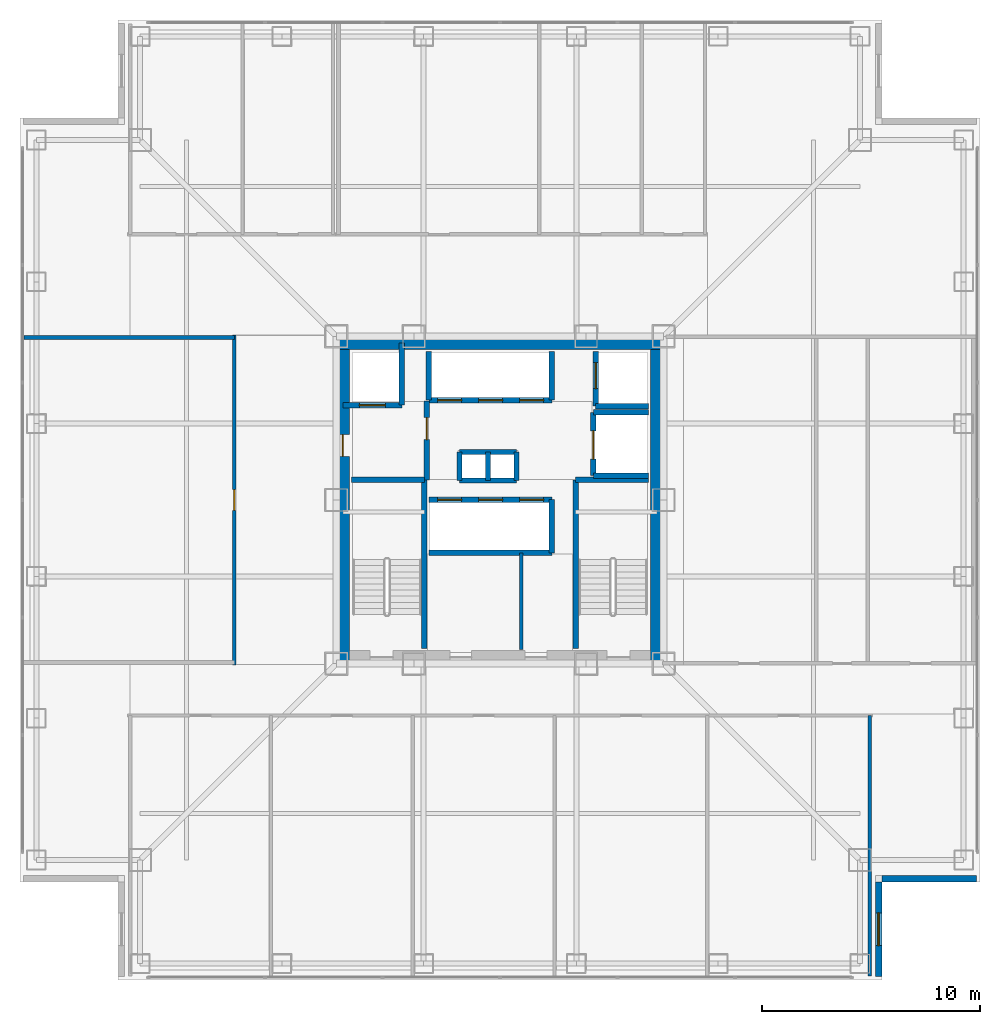
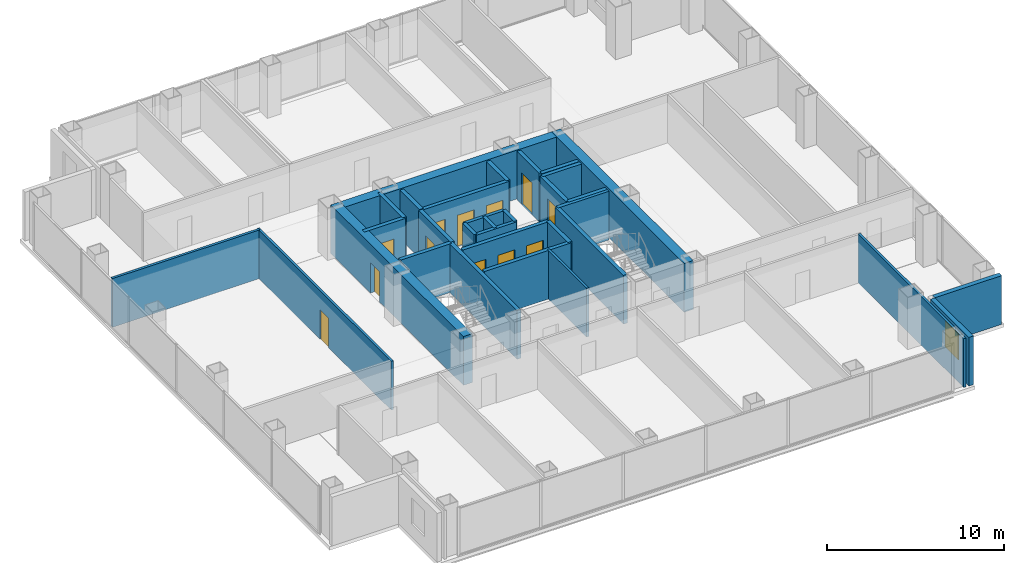
# One storey, part 13 of 17: 32 walls, 12 doors, 1 window, 13 openings.
"""IFC4 building model written with IfcOpenShell, lengths in metres."""

from ifc_helpers import new_model, si_unit, direction, frame, frame_2d, origin, place, context, subcontext, project, spatial, rectangle, extrude, material, layer, layer_set, type_object, element, fill, save


model = new_model("IFC4")

# Units and contexts
model_context = context("Model", 3, precision=1e-05, world=origin(), true_north=direction((0.0, 1.0)))
body_context = subcontext(model_context, "Body", "Model", "MODEL_VIEW")
ifc_project = project(units=[si_unit("LENGTHUNIT", "METRE"), si_unit("AREAUNIT", "SQUARE_METRE"), si_unit("VOLUMEUNIT", "CUBIC_METRE"), si_unit("PLANEANGLEUNIT", "RADIAN"), si_unit("MASSUNIT", "GRAM", prefix="KILO")], contexts=[model_context])

# Site, building, storey
site_placement = place(None, origin())
site = spatial("IfcSite", under=ifc_project, at=site_placement, CompositionType="ELEMENT")
building_placement = place(site_placement, origin())
building = spatial("IfcBuilding", under=site, at=building_placement, Name="Trevonay Congress Spire", CompositionType="ELEMENT")
storey_placement = place(building_placement, frame((0.0, 0.0, 108.39990234375)))
storey = spatial("IfcBuildingStorey", under=building, at=storey_placement, Name="L27", CompositionType="ELEMENT", Elevation=108.39990234375)

# Wall
ifc_material_1 = material(Name="Concrete C60/75", Category="concrete")
ifc_layer_1 = layer(ifc_material_1, 0.60009765625, Name="Concrete C60/75")
ifc_layer_set_1 = layer_set([ifc_layer_1], Name="Concrete C60/75")
wall_type_1 = type_object("IfcWallType", Name="WAL-CORE-600", PredefinedType="SHEAR", material=ifc_layer_set_1)
wall_1_placement = place(storey_placement, frame((-7.5, 7.199951171875, 0.0), z_axis=(0.0, 0.0, 1.0), x_axis=(1.0, 0.0, 0.0)))
element("IfcWall", 1, at=wall_1_placement, inside=storey, type_object=wall_type_1, Name="L27 North structural core shear wall", PredefinedType="SHEAR", context=body_context, shape_type="SweptSolid", body=[
    extrude(rectangle(XDim=15.0, YDim=0.60009765625, at=frame_2d((7.5, 0.0))), origin(), (0.0, 0.0, 1.0), 3.360107421875),
])

# Wall, opening, door
wall_2_placement = place(storey_placement, frame((-7.199951171875, -7.5, 0.0), z_axis=(0.0, 0.0, 1.0), x_axis=(0.0, 1.0, 0.0)))
wall_2 = element("IfcWall", 2, at=wall_2_placement, inside=storey, type_object=wall_type_1, Name="L27 West structural core shear wall", PredefinedType="SHEAR", context=body_context, shape_type="SweptSolid", body=[
    extrude(rectangle(XDim=15.0, YDim=0.60009765625, at=frame_2d((7.5, 0.0))), origin(), (0.0, 0.0, 1.0), 3.360107421875),
])
opening_1_placement = place(wall_2_placement, frame((9.5, 0.0, 0.0)))
opening_1 = element("IfcOpeningElement", 3, at=opening_1_placement, cuts=wall_2, Name="Opening D06", PredefinedType="OPENING", context=body_context, shape_type="SweptSolid", body=[
    extrude(rectangle(XDim=1.0, YDim=2.080078125, at=frame_2d((0.5, 1.0400390625))), frame((0.0, 0.31005859375, 0.0), z_axis=(0.0, -1.0, 0.0), x_axis=(1.0, 0.0, 0.0)), (0.0, 0.0, 1.0), 0.6201171875),
])
ifc_material_2 = material(Name="Steel ASTM A572 Grade 50", Category="steel")
door_type_1 = type_object("IfcDoorType", Name="DOR-FIRE-100", OperationType="NOTDEFINED", PredefinedType="DOOR", material=ifc_material_2)
door_1_placement = place(opening_1_placement, origin())
door_1 = element("IfcDoor", 4, at=door_1_placement, inside=storey, type_object=door_type_1, Name="L27 Firefighting Lift Lobby West Corridor Door", OperationType="SINGLE_SWING_LEFT", OverallHeight=2.080078125, OverallWidth=1.0, PredefinedType="DOOR", context=body_context, shape_type="SweptSolid", body=[
    extrude(rectangle(XDim=1.0, YDim=2.080078125, at=frame_2d((0.5, 1.0400390625))), frame((0.0, 0.02490234375, 0.0), z_axis=(0.0, -1.0, 0.0), x_axis=(1.0, 0.0, 0.0)), (0.0, 0.0, 1.0), 0.050048828125),
])
fill(opening_1, door_1)

# Wall
wall_3_placement = place(storey_placement, frame((7.199951171875, -7.5, 0.0), z_axis=(0.0, 0.0, 1.0), x_axis=(0.0, 1.0, 0.0)))
element("IfcWall", 5, at=wall_3_placement, inside=storey, type_object=wall_type_1, Name="L27 East structural core shear wall", PredefinedType="SHEAR", context=body_context, shape_type="SweptSolid", body=[
    extrude(rectangle(XDim=15.0, YDim=0.60009765625, at=frame_2d((7.5, 0.0))), origin(), (0.0, 0.0, 1.0), 3.360107421875),
])

# Wall, opening, door
ifc_material_3 = material(Name="Concrete C40/50", Category="concrete")
ifc_layer_2 = layer(ifc_material_3, 0.14990234375, Name="Concrete C40/50")
ifc_layer_set_2 = layer_set([ifc_layer_2], Name="Concrete C40/50")
wall_type_2 = type_object("IfcWallType", Name="WAL-CORR-150", PredefinedType="PARTITIONING", material=ifc_layer_set_2)
wall_4_placement = place(storey_placement, frame((-12.179931640625, -7.570068359375, 0.0), z_axis=(0.0, 0.0, 1.0), x_axis=(0.0, 1.0, 0.0)))
wall_4 = element("IfcWall", 6, at=wall_4_placement, inside=storey, type_object=wall_type_2, Name="L27 interior wall WP-L27W-COR", PredefinedType="PARTITIONING", context=body_context, shape_type="SweptSolid", body=[
    extrude(rectangle(XDim=15.14013671875, YDim=0.14990234375, at=frame_2d((7.570068359375, 0.0))), origin(), (0.0, 0.0, 1.0), 3.360107421875),
])
opening_2_placement = place(wall_4_placement, frame((7.094970703125, 0.0, 0.0)))
opening_2 = element("IfcOpeningElement", 7, at=opening_2_placement, cuts=wall_4, Name="Opening D07", PredefinedType="OPENING", context=body_context, shape_type="SweptSolid", body=[
    extrude(rectangle(XDim=0.949951171875, YDim=2.06005859375, at=frame_2d((0.47509765625, 1.030029296875))), frame((0.0, 0.0849609375, 0.0), z_axis=(0.0, -1.0, 0.0), x_axis=(1.0, 0.0, 0.0)), (0.0, 0.0, 1.0), 0.169921875),
])
ifc_material_4 = material(Name="Pale Anodised Aluminium EN AW-6063-T6", Category="aluminium")
door_type_2 = type_object("IfcDoorType", Name="DOR-OFFICE-95", OperationType="NOTDEFINED", PredefinedType="DOOR", material=ifc_material_4)
door_2_placement = place(opening_2_placement, origin())
door_2 = element("IfcDoor", 8, at=door_2_placement, inside=storey, type_object=door_type_2, Name="L27 West Open-Plan Research Office Door", OperationType="SINGLE_SWING_RIGHT", OverallHeight=2.06005859375, OverallWidth=0.949951171875, PredefinedType="DOOR", context=body_context, shape_type="SweptSolid", body=[
    extrude(rectangle(XDim=0.949951171875, YDim=2.06005859375, at=frame_2d((0.47509765625, 1.030029296875))), frame((0.0, 0.02490234375, 0.0), z_axis=(0.0, -1.0, 0.0), x_axis=(1.0, 0.0, 0.0)), (0.0, 0.0, 1.0), 0.050048828125),
])
fill(opening_2, door_2)

# Wall, opening, window
ifc_material_5 = material(Name="Precast concrete C40/50", Category="concrete")
ifc_layer_3 = layer(ifc_material_5, 0.300048828125, Name="Precast concrete C40/50")
ifc_layer_set_3 = layer_set([ifc_layer_3], Name="Precast concrete C40/50")
wall_type_3 = type_object("IfcWallType", Name="WAL-EXT-PRECAST-300", PredefinedType="SOLIDWALL", material=ifc_layer_set_3)
wall_5_placement = place(storey_placement, frame((17.35009765625, -21.85009765625, 0.0), z_axis=(0.0, 0.0, 1.0), x_axis=(0.0, 1.0, 0.0)))
wall_5 = element("IfcWall", 9, at=wall_5_placement, inside=storey, type_object=wall_type_3, Name="L27 SE re-entrant notch exterior wall 1", PredefinedType="SOLIDWALL", context=body_context, shape_type="SweptSolid", body=[
    extrude(rectangle(XDim=4.35009765625, YDim=0.300048828125, at=frame_2d((2.175048828125, 0.0))), origin(), (0.0, 0.0, 1.0), 3.360107421875),
])
opening_3_placement = place(wall_5_placement, frame((1.425048828125, 0.0, 0.89990234375)))
opening_3 = element("IfcOpeningElement", 10, at=opening_3_placement, cuts=wall_5, Name="Opening WN03", PredefinedType="OPENING", context=body_context, shape_type="SweptSolid", body=[
    extrude(rectangle(XDim=1.5, YDim=1.800048828125, at=frame_2d((0.75, 0.89990234375))), frame((0.0, 0.16015625, 0.0), z_axis=(0.0, -1.0, 0.0), x_axis=(1.0, 0.0, 0.0)), (0.0, 0.0, 1.0), 0.320068359375),
])
ifc_material_6 = material(Name="Insulated Low-E Vision Glass IGU", Category="glass")
window_type = type_object("IfcWindowType", Name="WIN-NOTCH-150X180", PartitioningType="SINGLE_PANEL", PredefinedType="WINDOW", material=ifc_material_6)
window_placement = place(opening_3_placement, origin())
window = element("IfcWindow", 11, at=window_placement, inside=storey, type_object=window_type, Name="L27 SE corner notch window", OverallHeight=1.800048828125, OverallWidth=1.5, PartitioningType="SINGLE_PANEL", PredefinedType="WINDOW", context=body_context, shape_type="SweptSolid", body=[
    extrude(rectangle(XDim=1.5, YDim=1.800048828125, at=frame_2d((0.75, 0.89990234375))), frame((0.0, 0.030029296875, 0.0), z_axis=(0.0, -1.0, 0.0), x_axis=(1.0, 0.0, 0.0)), (0.0, 0.0, 1.0), 0.06005859375),
])
fill(opening_3, window)

# Walls
wall_6_placement = place(storey_placement, frame((21.85009765625, -17.35009765625, 0.0), z_axis=(0.0, 0.0, 1.0), x_axis=(-1.0, 0.0, 0.0)))
element("IfcWall", 12, at=wall_6_placement, inside=storey, type_object=wall_type_3, Name="L27 SE re-entrant notch exterior wall 2", PredefinedType="SOLIDWALL", context=body_context, shape_type="SweptSolid", body=[
    extrude(rectangle(XDim=4.35009765625, YDim=0.300048828125, at=frame_2d((2.175048828125, 0.0))), origin(), (0.0, 0.0, 1.0), 3.360107421875),
])
ifc_layer_4 = layer(ifc_material_3, 0.14990234375, Name="Concrete C40/50")
ifc_layer_set_4 = layer_set([ifc_layer_4], Name="Concrete C40/50")
wall_type_4 = type_object("IfcWallType", Name="WAL-PART-150", PredefinedType="PARTITIONING", material=ifc_layer_set_4)
wall_7_placement = place(storey_placement, frame((0.97998046875, -6.85009765625, 0.0), z_axis=(0.0, 0.0, 1.0), x_axis=(0.0, 1.0, 0.0)))
element("IfcWall", 13, at=wall_7_placement, inside=storey, type_object=wall_type_4, Name="L27 interior wall CW-F3-L27", PredefinedType="PARTITIONING", context=body_context, shape_type="SweptSolid", body=[
    extrude(rectangle(XDim=4.420166015625, YDim=0.14990234375, at=frame_2d((2.2099609375, 0.0))), origin(), (0.0, 0.0, 1.0), 3.360107421875),
])
wall_8_placement = place(storey_placement, frame((16.949951171875, -21.820068359375, 0.0), z_axis=(0.0, 0.0, 1.0), x_axis=(0.0, 1.0, 0.0)))
element("IfcWall", 14, at=wall_8_placement, inside=storey, type_object=wall_type_4, Name="L27 interior wall WP-L27S-DIV6", PredefinedType="PARTITIONING", context=body_context, shape_type="SweptSolid", body=[
    extrude(rectangle(XDim=11.940185546875, YDim=0.14990234375, at=frame_2d((5.97021484375, 0.0))), origin(), (0.0, 0.0, 1.0), 3.360107421875),
])
ifc_layer_5 = layer(ifc_material_3, 0.219970703125, Name="Concrete C40/50")
ifc_layer_set_5 = layer_set([ifc_layer_5], Name="Concrete C40/50")
wall_type_5 = type_object("IfcWallType", Name="WAL-SHAFT-220", PredefinedType="PARTITIONING", material=ifc_layer_set_5)
for number, where, z_axis, x_axis, name in (
    (15, (-1.85009765625, 2.199951171875, 0.0), (0.0, 0.0, 1.0), (1.0, 0.0, 0.0), "L27 interior shaft wall WSH-L27-RSR-N"),
    (16, (-1.85009765625, 0.89990234375, 0.0), (0.0, 0.0, 1.0), (1.0, 0.0, 0.0), "L27 interior shaft wall WSH-L27-RSR-S"),
):
    element("IfcWall", number, at=place(storey_placement, frame(where, z_axis=z_axis, x_axis=x_axis)), inside=storey, type_object=wall_type_5, Name=name, PredefinedType="PARTITIONING", context=body_context, shape_type="SweptSolid", body=[
        extrude(rectangle(XDim=2.60009765625, YDim=0.219970703125, at=frame_2d((1.300048828125, 0.0))), origin(), (0.0, 0.0, 1.0), 3.360107421875),
    ])
for number, where, z_axis, x_axis, name in (
    (17, (-0.550048828125, 0.89990234375, 0.0), (0.0, 0.0, 1.0), (0.0, 1.0, 0.0), "L27 interior shaft wall WSH-L27-RSR-M"),
    (18, (0.75, 0.89990234375, 0.0), (0.0, 0.0, 1.0), (0.0, 1.0, 0.0), "L27 interior shaft wall WSH-L27-RSR-E"),
    (19, (-1.85009765625, 0.89990234375, 0.0), (0.0, 0.0, 1.0), (0.0, 1.0, 0.0), "L27 interior shaft wall WSH-L27-RSR-W"),
):
    element("IfcWall", number, at=place(storey_placement, frame(where, z_axis=z_axis, x_axis=x_axis)), inside=storey, type_object=wall_type_5, Name=name, PredefinedType="PARTITIONING", context=body_context, shape_type="SweptSolid", body=[
        extrude(rectangle(XDim=1.300048828125, YDim=0.219970703125, at=frame_2d((0.64990234375, 0.0))), origin(), (0.0, 0.0, 1.0), 3.360107421875),
    ])

# Wall, openings, doors
ifc_layer_6 = layer(ifc_material_3, 0.25, Name="Concrete C40/50")
ifc_layer_set_6 = layer_set([ifc_layer_6], Name="Concrete C40/50")
wall_type_6 = type_object("IfcWallType", Name="WAL-SHAFT-250", PredefinedType="SHEAR", material=ifc_layer_set_6)
wall_9_placement = place(storey_placement, frame((-3.260009765625, 0.02001953125, 0.0), z_axis=(0.0, 0.0, 1.0), x_axis=(1.0, 0.0, 0.0)))
wall_9 = element("IfcWall", 20, at=wall_9_placement, inside=storey, type_object=wall_type_6, Name="L27 interior shaft wall WSH-L27-B2-N", PredefinedType="SHEAR", context=body_context, shape_type="SweptSolid", body=[
    extrude(rectangle(XDim=5.639892578125, YDim=0.25, at=frame_2d((2.81982421875, 0.0))), origin(), (0.0, 0.0, 1.0), 3.360107421875),
])
opening_4_placement = place(wall_9_placement, frame((0.39990234375, 0.0, 0.0)))
opening_4 = element("IfcOpeningElement", 21, at=opening_4_placement, cuts=wall_9, Name="Opening LD02", PredefinedType="OPENING", context=body_context, shape_type="SweptSolid", body=[
    extrude(rectangle(XDim=1.10009765625, YDim=2.199951171875, at=frame_2d((0.550048828125, 1.10009765625))), frame((0.0, 0.135009765625, 0.0), z_axis=(0.0, -1.0, 0.0), x_axis=(1.0, 0.0, 0.0)), (0.0, 0.0, 1.0), 0.27001953125),
])
opening_5_placement = place(wall_9_placement, frame((2.280029296875, 0.0, 0.0)))
opening_5 = element("IfcOpeningElement", 22, at=opening_5_placement, cuts=wall_9, Name="Opening LD02", PredefinedType="OPENING", context=body_context, shape_type="SweptSolid", body=[
    extrude(rectangle(XDim=1.10009765625, YDim=2.199951171875, at=frame_2d((0.550048828125, 1.10009765625))), frame((0.0, 0.135009765625, 0.0), z_axis=(0.0, -1.0, 0.0), x_axis=(1.0, 0.0, 0.0)), (0.0, 0.0, 1.0), 0.27001953125),
])
opening_6_placement = place(wall_9_placement, frame((4.159912109375, 0.0, 0.0)))
opening_6 = element("IfcOpeningElement", 23, at=opening_6_placement, cuts=wall_9, Name="Opening LD02", PredefinedType="OPENING", context=body_context, shape_type="SweptSolid", body=[
    extrude(rectangle(XDim=1.10009765625, YDim=2.199951171875, at=frame_2d((0.550048828125, 1.10009765625))), frame((0.0, 0.135009765625, 0.0), z_axis=(0.0, -1.0, 0.0), x_axis=(1.0, 0.0, 0.0)), (0.0, 0.0, 1.0), 0.27001953125),
])
door_type_3 = type_object("IfcDoorType", Name="DOR-LIFT-LD02", OperationType="DOUBLE_DOOR_SLIDING", PredefinedType="DOOR", material=ifc_material_4)
door_3_placement = place(opening_4_placement, origin())
door_3 = element("IfcDoor", 24, at=door_3_placement, inside=storey, type_object=door_type_3, Name="L27 Passenger lift PL-04 landing door", OperationType="DOUBLE_DOOR_SLIDING", OverallHeight=2.199951171875, OverallWidth=1.10009765625, PredefinedType="DOOR", context=body_context, shape_type="SweptSolid", body=[
    extrude(rectangle(XDim=1.10009765625, YDim=2.199951171875, at=frame_2d((0.550048828125, 1.10009765625))), frame((0.0, 0.02490234375, 0.0), z_axis=(0.0, -1.0, 0.0), x_axis=(1.0, 0.0, 0.0)), (0.0, 0.0, 1.0), 0.050048828125),
])
fill(opening_4, door_3)
door_4_placement = place(opening_5_placement, origin())
door_4 = element("IfcDoor", 25, at=door_4_placement, inside=storey, type_object=door_type_3, Name="L27 Passenger lift PL-05 landing door", OperationType="DOUBLE_DOOR_SLIDING", OverallHeight=2.199951171875, OverallWidth=1.10009765625, PredefinedType="DOOR", context=body_context, shape_type="SweptSolid", body=[
    extrude(rectangle(XDim=1.10009765625, YDim=2.199951171875, at=frame_2d((0.550048828125, 1.10009765625))), frame((0.0, 0.02490234375, 0.0), z_axis=(0.0, -1.0, 0.0), x_axis=(1.0, 0.0, 0.0)), (0.0, 0.0, 1.0), 0.050048828125),
])
fill(opening_5, door_4)
door_5_placement = place(opening_6_placement, origin())
door_5 = element("IfcDoor", 26, at=door_5_placement, inside=storey, type_object=door_type_3, Name="L27 Passenger lift PL-06 landing door", OperationType="DOUBLE_DOOR_SLIDING", OverallHeight=2.199951171875, OverallWidth=1.10009765625, PredefinedType="DOOR", context=body_context, shape_type="SweptSolid", body=[
    extrude(rectangle(XDim=1.10009765625, YDim=2.199951171875, at=frame_2d((0.550048828125, 1.10009765625))), frame((0.0, 0.02490234375, 0.0), z_axis=(0.0, -1.0, 0.0), x_axis=(1.0, 0.0, 0.0)), (0.0, 0.0, 1.0), 0.050048828125),
])
fill(opening_6, door_5)

# Walls
wall_10_placement = place(storey_placement, frame((-3.260009765625, -2.419921875, 0.0), z_axis=(0.0, 0.0, 1.0), x_axis=(1.0, 0.0, 0.0)))
element("IfcWall", 27, at=wall_10_placement, inside=storey, type_object=wall_type_6, Name="L27 interior shaft wall WSH-L27-B2-S", PredefinedType="SHEAR", context=body_context, shape_type="SweptSolid", body=[
    extrude(rectangle(XDim=5.639892578125, YDim=0.25, at=frame_2d((2.81982421875, 0.0))), origin(), (0.0, 0.0, 1.0), 3.360107421875),
])
wall_11_placement = place(storey_placement, frame((2.3798828125, -2.419921875, 0.0), z_axis=(0.0, 0.0, 1.0), x_axis=(0.0, 1.0, 0.0)))
element("IfcWall", 28, at=wall_11_placement, inside=storey, type_object=wall_type_6, Name="L27 interior shaft wall WSH-L27-B2-E", PredefinedType="SHEAR", context=body_context, shape_type="SweptSolid", body=[
    extrude(rectangle(XDim=2.43994140625, YDim=0.25, at=frame_2d((1.219970703125, 0.0))), origin(), (0.0, 0.0, 1.0), 3.360107421875),
])

# Wall, openings, doors
wall_12_placement = place(storey_placement, frame((-3.260009765625, 4.580078125, 0.0), z_axis=(0.0, 0.0, 1.0), x_axis=(1.0, 0.0, 0.0)))
wall_12 = element("IfcWall", 29, at=wall_12_placement, inside=storey, type_object=wall_type_6, Name="L27 interior shaft wall WSH-L27-B3-S", PredefinedType="SHEAR", context=body_context, shape_type="SweptSolid", body=[
    extrude(rectangle(XDim=5.639892578125, YDim=0.25, at=frame_2d((2.81982421875, 0.0))), origin(), (0.0, 0.0, 1.0), 3.360107421875),
])
opening_7_placement = place(wall_12_placement, frame((0.39990234375, 0.0, 0.0)))
opening_7 = element("IfcOpeningElement", 30, at=opening_7_placement, cuts=wall_12, Name="Opening LD03", PredefinedType="OPENING", context=body_context, shape_type="SweptSolid", body=[
    extrude(rectangle(XDim=1.10009765625, YDim=2.199951171875, at=frame_2d((0.550048828125, 1.10009765625))), frame((0.0, 0.135009765625, 0.0), z_axis=(0.0, -1.0, 0.0), x_axis=(1.0, 0.0, 0.0)), (0.0, 0.0, 1.0), 0.27001953125),
])
opening_8_placement = place(wall_12_placement, frame((2.280029296875, 0.0, 0.0)))
opening_8 = element("IfcOpeningElement", 31, at=opening_8_placement, cuts=wall_12, Name="Opening LD03", PredefinedType="OPENING", context=body_context, shape_type="SweptSolid", body=[
    extrude(rectangle(XDim=1.10009765625, YDim=2.199951171875, at=frame_2d((0.550048828125, 1.10009765625))), frame((0.0, 0.135009765625, 0.0), z_axis=(0.0, -1.0, 0.0), x_axis=(1.0, 0.0, 0.0)), (0.0, 0.0, 1.0), 0.27001953125),
])
opening_9_placement = place(wall_12_placement, frame((4.159912109375, 0.0, 0.0)))
opening_9 = element("IfcOpeningElement", 32, at=opening_9_placement, cuts=wall_12, Name="Opening LD03", PredefinedType="OPENING", context=body_context, shape_type="SweptSolid", body=[
    extrude(rectangle(XDim=1.10009765625, YDim=2.199951171875, at=frame_2d((0.550048828125, 1.10009765625))), frame((0.0, 0.135009765625, 0.0), z_axis=(0.0, -1.0, 0.0), x_axis=(1.0, 0.0, 0.0)), (0.0, 0.0, 1.0), 0.27001953125),
])
door_type_4 = type_object("IfcDoorType", Name="DOR-LIFT-LD03", OperationType="DOUBLE_DOOR_SLIDING", PredefinedType="DOOR", material=ifc_material_4)
door_6_placement = place(opening_7_placement, origin())
door_6 = element("IfcDoor", 33, at=door_6_placement, inside=storey, type_object=door_type_4, Name="L27 Passenger lift PL-07 landing door", OperationType="DOUBLE_DOOR_SLIDING", OverallHeight=2.199951171875, OverallWidth=1.10009765625, PredefinedType="DOOR", context=body_context, shape_type="SweptSolid", body=[
    extrude(rectangle(XDim=1.10009765625, YDim=2.199951171875, at=frame_2d((0.550048828125, 1.10009765625))), frame((0.0, 0.02490234375, 0.0), z_axis=(0.0, -1.0, 0.0), x_axis=(1.0, 0.0, 0.0)), (0.0, 0.0, 1.0), 0.050048828125),
])
fill(opening_7, door_6)
door_7_placement = place(opening_8_placement, origin())
door_7 = element("IfcDoor", 34, at=door_7_placement, inside=storey, type_object=door_type_4, Name="L27 Passenger lift PL-08 landing door", OperationType="DOUBLE_DOOR_SLIDING", OverallHeight=2.199951171875, OverallWidth=1.10009765625, PredefinedType="DOOR", context=body_context, shape_type="SweptSolid", body=[
    extrude(rectangle(XDim=1.10009765625, YDim=2.199951171875, at=frame_2d((0.550048828125, 1.10009765625))), frame((0.0, 0.02490234375, 0.0), z_axis=(0.0, -1.0, 0.0), x_axis=(1.0, 0.0, 0.0)), (0.0, 0.0, 1.0), 0.050048828125),
])
fill(opening_8, door_7)
door_8_placement = place(opening_9_placement, origin())
door_8 = element("IfcDoor", 35, at=door_8_placement, inside=storey, type_object=door_type_4, Name="L27 Passenger lift PL-09 landing door", OperationType="DOUBLE_DOOR_SLIDING", OverallHeight=2.199951171875, OverallWidth=1.10009765625, PredefinedType="DOOR", context=body_context, shape_type="SweptSolid", body=[
    extrude(rectangle(XDim=1.10009765625, YDim=2.199951171875, at=frame_2d((0.550048828125, 1.10009765625))), frame((0.0, 0.02490234375, 0.0), z_axis=(0.0, -1.0, 0.0), x_axis=(1.0, 0.0, 0.0)), (0.0, 0.0, 1.0), 0.050048828125),
])
fill(opening_9, door_8)

# Walls
for number, where, z_axis, x_axis, name in (
    (36, (-3.260009765625, 4.580078125, 0.0), (0.0, 0.0, 1.0), (0.0, 1.0, 0.0), "L27 interior shaft wall WSH-L27-B3-W"),
    (37, (2.3798828125, 4.580078125, 0.0), (0.0, 0.0, 1.0), (0.0, 1.0, 0.0), "L27 interior shaft wall WSH-L27-B3-E"),
):
    element("IfcWall", number, at=place(storey_placement, frame(where, z_axis=z_axis, x_axis=x_axis)), inside=storey, type_object=wall_type_6, Name=name, PredefinedType="SHEAR", context=body_context, shape_type="SweptSolid", body=[
        extrude(rectangle(XDim=2.219970703125, YDim=0.25, at=frame_2d((1.10986328125, 0.0))), origin(), (0.0, 0.0, 1.0), 3.360107421875),
    ])

# Wall, opening, door
wall_13_placement = place(storey_placement, frame((-7.199951171875, 4.35009765625, 0.0), z_axis=(0.0, 0.0, 1.0), x_axis=(1.0, 0.0, 0.0)))
wall_13 = element("IfcWall", 38, at=wall_13_placement, inside=storey, type_object=wall_type_6, Name="L27 interior shaft wall WSH-L27-FF1-S", PredefinedType="SHEAR", context=body_context, shape_type="SweptSolid", body=[
    extrude(rectangle(XDim=2.699951171875, YDim=0.25, at=frame_2d((1.35009765625, 0.0))), origin(), (0.0, 0.0, 1.0), 3.360107421875),
])
opening_10_placement = place(wall_13_placement, frame((0.75, 0.0, 0.0)))
opening_10 = element("IfcOpeningElement", 39, at=opening_10_placement, cuts=wall_13, Name="Opening LD04", PredefinedType="OPENING", context=body_context, shape_type="SweptSolid", body=[
    extrude(rectangle(XDim=1.199951171875, YDim=2.199951171875, at=frame_2d((0.60009765625, 1.10009765625))), frame((0.0, 0.135009765625, 0.0), z_axis=(0.0, -1.0, 0.0), x_axis=(1.0, 0.0, 0.0)), (0.0, 0.0, 1.0), 0.27001953125),
])
door_type_5 = type_object("IfcDoorType", Name="DOR-LIFT-LD04", OperationType="DOUBLE_DOOR_SLIDING", PredefinedType="DOOR", material=ifc_material_2)
door_9_placement = place(opening_10_placement, origin())
door_9 = element("IfcDoor", 40, at=door_9_placement, inside=storey, type_object=door_type_5, Name="L27 Firefighting lift FFL-01 landing door", OperationType="DOUBLE_DOOR_SLIDING", OverallHeight=2.199951171875, OverallWidth=1.199951171875, PredefinedType="DOOR", context=body_context, shape_type="SweptSolid", body=[
    extrude(rectangle(XDim=1.199951171875, YDim=2.199951171875, at=frame_2d((0.60009765625, 1.10009765625))), frame((0.0, 0.02490234375, 0.0), z_axis=(0.0, -1.0, 0.0), x_axis=(1.0, 0.0, 0.0)), (0.0, 0.0, 1.0), 0.050048828125),
])
fill(opening_10, door_9)

# Walls
wall_14_placement = place(storey_placement, frame((-4.5, 4.35009765625, 0.0), z_axis=(0.0, 0.0, 1.0), x_axis=(0.0, 1.0, 0.0)))
element("IfcWall", 41, at=wall_14_placement, inside=storey, type_object=wall_type_6, Name="L27 interior shaft wall WSH-L27-FF1-E", PredefinedType="SHEAR", context=body_context, shape_type="SweptSolid", body=[
    extrude(rectangle(XDim=2.849853515625, YDim=0.25, at=frame_2d((1.4248046875, 0.0))), origin(), (0.0, 0.0, 1.0), 3.360107421875),
])
wall_15_placement = place(storey_placement, frame((4.3798828125, 4.300048828125, 0.0), z_axis=(0.0, 0.0, 1.0), x_axis=(1.0, 0.0, 0.0)))
element("IfcWall", 42, at=wall_15_placement, inside=storey, type_object=wall_type_6, Name="L27 interior shaft wall WSH-L27-FF2-S", PredefinedType="SHEAR", context=body_context, shape_type="SweptSolid", body=[
    extrude(rectangle(XDim=2.420166015625, YDim=0.25, at=frame_2d((1.2099609375, 0.0))), origin(), (0.0, 0.0, 1.0), 3.360107421875),
])

# Wall, opening, door
wall_16_placement = place(storey_placement, frame((4.3798828125, 4.300048828125, 0.0), z_axis=(0.0, 0.0, 1.0), x_axis=(0.0, 1.0, 0.0)))
wall_16 = element("IfcWall", 43, at=wall_16_placement, inside=storey, type_object=wall_type_6, Name="L27 interior shaft wall WSH-L27-FF2-W", PredefinedType="SHEAR", context=body_context, shape_type="SweptSolid", body=[
    extrude(rectangle(XDim=2.5, YDim=0.25, at=frame_2d((1.25, 0.0))), origin(), (0.0, 0.0, 1.0), 3.360107421875),
])
opening_11_placement = place(wall_16_placement, frame((0.800048828125, 0.0, 0.0)))
opening_11 = element("IfcOpeningElement", 44, at=opening_11_placement, cuts=wall_16, Name="Opening LD04", PredefinedType="OPENING", context=body_context, shape_type="SweptSolid", body=[
    extrude(rectangle(XDim=1.199951171875, YDim=2.199951171875, at=frame_2d((0.60009765625, 1.10009765625))), frame((0.0, 0.135009765625, 0.0), z_axis=(0.0, -1.0, 0.0), x_axis=(1.0, 0.0, 0.0)), (0.0, 0.0, 1.0), 0.27001953125),
])
door_10_placement = place(opening_11_placement, origin())
door_10 = element("IfcDoor", 45, at=door_10_placement, inside=storey, type_object=door_type_5, Name="L27 Firefighting lift FFL-02 landing door", OperationType="DOUBLE_DOOR_SLIDING", OverallHeight=2.199951171875, OverallWidth=1.199951171875, PredefinedType="DOOR", context=body_context, shape_type="SweptSolid", body=[
    extrude(rectangle(XDim=1.199951171875, YDim=2.199951171875, at=frame_2d((0.60009765625, 1.10009765625))), frame((0.0, 0.02490234375, 0.0), z_axis=(0.0, -1.0, 0.0), x_axis=(1.0, 0.0, 0.0)), (0.0, 0.0, 1.0), 0.050048828125),
])
fill(opening_11, door_10)

wall_17_placement = place(storey_placement, frame((4.280029296875, 1.1201171875, 0.0), z_axis=(0.0, 0.0, 1.0), x_axis=(0.0, 1.0, 0.0)))
wall_17 = element("IfcWall", 46, at=wall_17_placement, inside=storey, type_object=wall_type_6, Name="L27 interior shaft wall WSH-L27-SV-W", PredefinedType="SHEAR", context=body_context, shape_type="SweptSolid", body=[
    extrude(rectangle(XDim=2.89990234375, YDim=0.25, at=frame_2d((1.449951171875, 0.0))), origin(), (0.0, 0.0, 1.0), 3.360107421875),
])
opening_12_placement = place(wall_17_placement, frame((0.75, 0.0, 0.0)))
opening_12 = element("IfcOpeningElement", 47, at=opening_12_placement, cuts=wall_17, Name="Opening LD05", PredefinedType="OPENING", context=body_context, shape_type="SweptSolid", body=[
    extrude(rectangle(XDim=1.300048828125, YDim=2.300048828125, at=frame_2d((0.64990234375, 1.14990234375))), frame((0.0, 0.135009765625, 0.0), z_axis=(0.0, -1.0, 0.0), x_axis=(1.0, 0.0, 0.0)), (0.0, 0.0, 1.0), 0.27001953125),
])
door_type_6 = type_object("IfcDoorType", Name="DOR-LIFT-LD05", OperationType="DOUBLE_DOOR_SLIDING", PredefinedType="DOOR", material=ifc_material_2)
door_11_placement = place(opening_12_placement, origin())
door_11 = element("IfcDoor", 48, at=door_11_placement, inside=storey, type_object=door_type_6, Name="L27 Goods lift SVL-01 landing door", OperationType="DOUBLE_DOOR_SLIDING", OverallHeight=2.300048828125, OverallWidth=1.300048828125, PredefinedType="DOOR", context=body_context, shape_type="SweptSolid", body=[
    extrude(rectangle(XDim=1.300048828125, YDim=2.300048828125, at=frame_2d((0.64990234375, 1.14990234375))), frame((0.0, 0.02490234375, 0.0), z_axis=(0.0, -1.0, 0.0), x_axis=(1.0, 0.0, 0.0)), (0.0, 0.0, 1.0), 0.050048828125),
])
fill(opening_12, door_11)

# Walls
for number, where, z_axis, x_axis, name in (
    (49, (4.280029296875, 1.1201171875, 0.0), (0.0, 0.0, 1.0), (1.0, 0.0, 0.0), "L27 interior shaft wall WSH-L27-SV-S"),
    (50, (4.280029296875, 4.02001953125, 0.0), (0.0, 0.0, 1.0), (1.0, 0.0, 0.0), "L27 interior shaft wall WSH-L27-SV-N"),
):
    element("IfcWall", number, at=place(storey_placement, frame(where, z_axis=z_axis, x_axis=x_axis)), inside=storey, type_object=wall_type_6, Name=name, PredefinedType="SHEAR", context=body_context, shape_type="SweptSolid", body=[
        extrude(rectangle(XDim=2.52001953125, YDim=0.25, at=frame_2d((1.260009765625, 0.0))), origin(), (0.0, 0.0, 1.0), 3.360107421875),
    ])

# Wall, opening, door
wall_18_placement = place(storey_placement, frame((-3.35009765625, 0.919921875, 0.0), z_axis=(0.0, 0.0, 1.0), x_axis=(0.0, 1.0, 0.0)))
wall_18 = element("IfcWall", 51, at=wall_18_placement, inside=storey, type_object=wall_type_6, Name="L27 interior wall CW-FFLW-E-L27", PredefinedType="SHEAR", context=body_context, shape_type="SweptSolid", body=[
    extrude(rectangle(XDim=3.6201171875, YDim=0.25, at=frame_2d((1.81005859375, 0.0))), origin(), (0.0, 0.0, 1.0), 3.360107421875),
])
opening_13_placement = place(wall_18_placement, frame((1.85009765625, 0.0, 0.0)))
opening_13 = element("IfcOpeningElement", 52, at=opening_13_placement, cuts=wall_18, Name="Opening D06", PredefinedType="OPENING", context=body_context, shape_type="SweptSolid", body=[
    extrude(rectangle(XDim=1.0, YDim=2.080078125, at=frame_2d((0.5, 1.0400390625))), frame((0.0, 0.135009765625, 0.0), z_axis=(0.0, -1.0, 0.0), x_axis=(1.0, 0.0, 0.0)), (0.0, 0.0, 1.0), 0.27001953125),
])
door_12_placement = place(opening_13_placement, origin())
door_12 = element("IfcDoor", 53, at=door_12_placement, inside=storey, type_object=door_type_1, Name="L27 Firefighting Core Lobby Transfer Door", OperationType="SINGLE_SWING_RIGHT", OverallHeight=2.080078125, OverallWidth=1.0, PredefinedType="DOOR", context=body_context, shape_type="SweptSolid", body=[
    extrude(rectangle(XDim=1.0, YDim=2.080078125, at=frame_2d((0.5, 1.0400390625))), frame((0.0, 0.02490234375, 0.0), z_axis=(0.0, -1.0, 0.0), x_axis=(1.0, 0.0, 0.0)), (0.0, 0.0, 1.0), 0.050048828125),
])
fill(opening_13, door_12)

# Walls
ifc_layer_7 = layer(ifc_material_3, 0.25, Name="Concrete C40/50")
ifc_layer_set_7 = layer_set([ifc_layer_7], Name="Concrete C40/50")
wall_type_7 = type_object("IfcWallType", Name="WAL-SHAFT-LB-250", PredefinedType="SHEAR", material=ifc_layer_set_7)
wall_19_placement = place(storey_placement, frame((-3.469970703125, -6.800048828125, 0.0), z_axis=(0.0, 0.0, 1.0), x_axis=(0.0, 1.0, 0.0)))
element("IfcWall", 54, at=wall_19_placement, inside=storey, type_object=wall_type_7, Name="L27 interior shaft wall WSH-L27-ST1-E", PredefinedType="SHEAR", context=body_context, shape_type="SweptSolid", body=[
    extrude(rectangle(XDim=7.719970703125, YDim=0.25, at=frame_2d((3.85986328125, 0.0))), origin(), (0.0, 0.0, 1.0), 3.360107421875),
])
wall_20_placement = place(storey_placement, frame((-6.800048828125, 0.919921875, 0.0), z_axis=(0.0, 0.0, 1.0), x_axis=(1.0, 0.0, 0.0)))
element("IfcWall", 55, at=wall_20_placement, inside=storey, type_object=wall_type_7, Name="L27 interior shaft wall WSH-L27-ST1-N", PredefinedType="SHEAR", context=body_context, shape_type="SweptSolid", body=[
    extrude(rectangle(XDim=3.330078125, YDim=0.25, at=frame_2d((1.6650390625, 0.0))), origin(), (0.0, 0.0, 1.0), 3.360107421875),
])
wall_21_placement = place(storey_placement, frame((3.469970703125, -6.800048828125, 0.0), z_axis=(0.0, 0.0, 1.0), x_axis=(0.0, 1.0, 0.0)))
element("IfcWall", 56, at=wall_21_placement, inside=storey, type_object=wall_type_7, Name="L27 interior shaft wall WSH-L27-ST2-W", PredefinedType="SHEAR", context=body_context, shape_type="SweptSolid", body=[
    extrude(rectangle(XDim=7.719970703125, YDim=0.25, at=frame_2d((3.85986328125, 0.0))), origin(), (0.0, 0.0, 1.0), 3.360107421875),
])
wall_22_placement = place(storey_placement, frame((3.469970703125, 0.919921875, 0.0), z_axis=(0.0, 0.0, 1.0), x_axis=(1.0, 0.0, 0.0)))
element("IfcWall", 57, at=wall_22_placement, inside=storey, type_object=wall_type_7, Name="L27 interior shaft wall WSH-L27-ST2-N", PredefinedType="SHEAR", context=body_context, shape_type="SweptSolid", body=[
    extrude(rectangle(XDim=3.330078125, YDim=0.25, at=frame_2d((1.6650390625, 0.0))), origin(), (0.0, 0.0, 1.0), 3.360107421875),
])
ifc_layer_8 = layer(ifc_material_3, 0.1650390625, Name="Concrete C40/50")
ifc_layer_set_8 = layer_set([ifc_layer_8], Name="Concrete C40/50")
wall_type_8 = type_object("IfcWallType", Name="WAL-WET-165", PredefinedType="PLUMBINGWALL", material=ifc_layer_set_8)
wall_23_placement = place(storey_placement, frame((-21.820068359375, 7.449951171875, 0.0), z_axis=(0.0, 0.0, 1.0), x_axis=(1.0, 0.0, 0.0)))
element("IfcWall", 58, at=wall_23_placement, inside=storey, type_object=wall_type_8, Name="L27 interior wall WP-L27W-DIV2", PredefinedType="PLUMBINGWALL", context=body_context, shape_type="SweptSolid", body=[
    extrude(rectangle(XDim=9.64013671875, YDim=0.1650390625, at=frame_2d((4.820068359375, 0.0))), origin(), (0.0, 0.0, 1.0), 3.360107421875),
])

save(model, "model.ifc")
